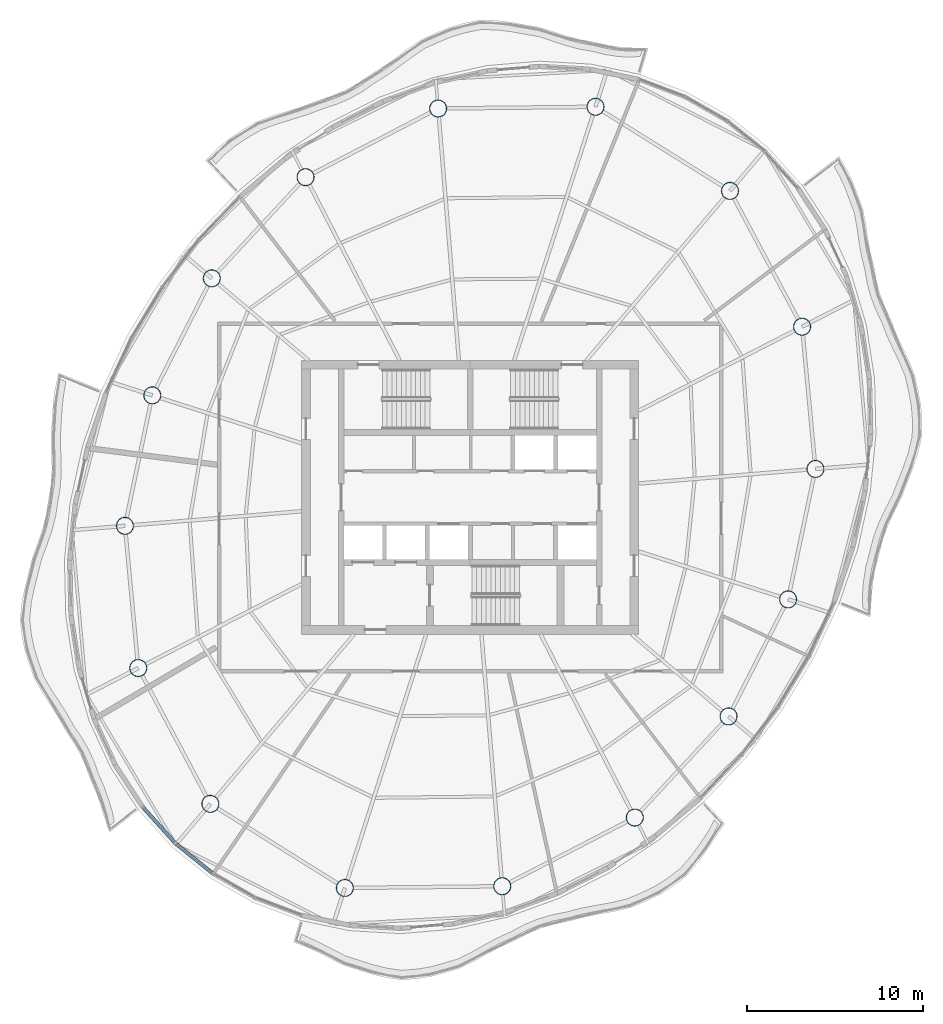
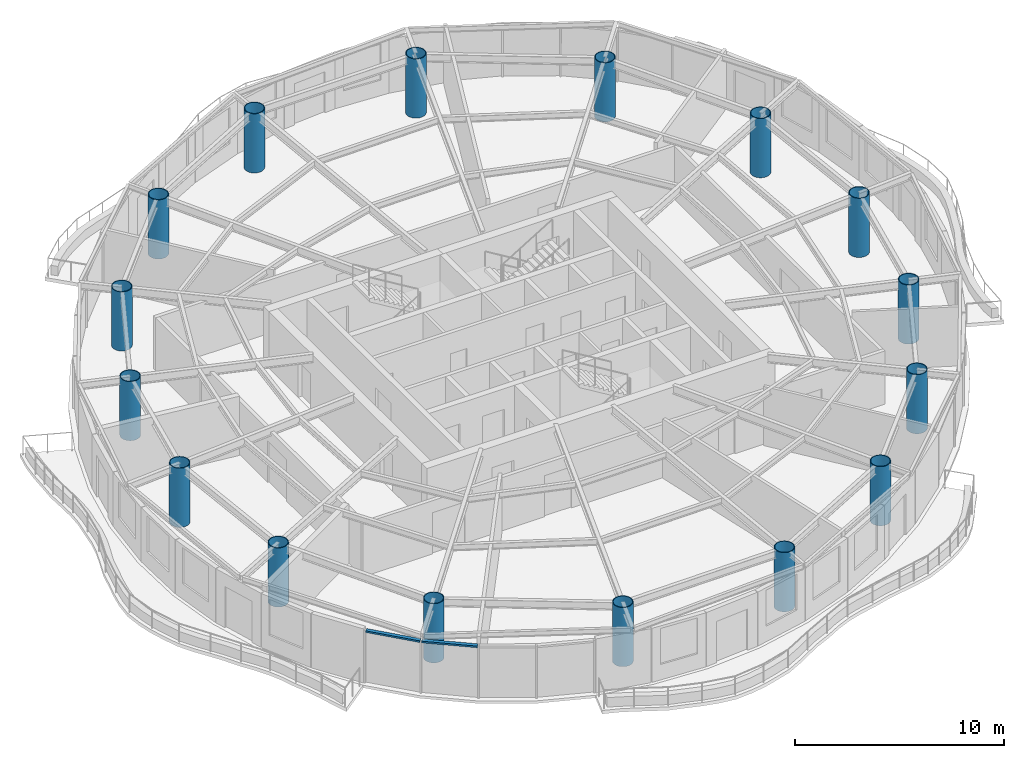
# One storey, part 1 of 14: 16 columns, 2 members, 2 elements without a shape of their own.
"""IFC4 building model written with IfcOpenShell, lengths in metres."""

from ifc_helpers import new_model, si_unit, direction, frame, origin, origin_2d, place, context, subcontext, project, spatial, rectangle, hollow_circle, extrude, material, material_profile, profile_set, type_object, element, aggregate, save


model = new_model("IFC4")

# Units and contexts
model_context = context("Model", 3, precision=1e-05, world=origin(), true_north=direction((0.0, 1.0)))
body_context = subcontext(model_context, "Body", "Model", "MODEL_VIEW")
ifc_project = project(units=[si_unit("LENGTHUNIT", "METRE"), si_unit("AREAUNIT", "SQUARE_METRE"), si_unit("VOLUMEUNIT", "CUBIC_METRE"), si_unit("PLANEANGLEUNIT", "RADIAN"), si_unit("MASSUNIT", "GRAM", prefix="KILO")], contexts=[model_context])

# Site, building, storey
site_placement = place(None, origin())
site = spatial("IfcSite", under=ifc_project, at=site_placement, CompositionType="ELEMENT")
building_placement = place(site_placement, origin())
building = spatial("IfcBuilding", under=site, at=building_placement, Name="Vermilion Reach Broadcast Tower", CompositionType="ELEMENT")
storey_placement = place(building_placement, frame((0.0, 0.0, 257.699951171875)))
storey = spatial("IfcBuildingStorey", under=building, at=storey_placement, Name="L63", CompositionType="ELEMENT", Elevation=257.699951171875)

# Columns
ifc_material_1 = material(Name="Concrete C60 infill in steel S460NL tube", Category="concrete")
ifc_material_profile_1 = material_profile(ifc_material_1, hollow_circle(Radius=0.5, WallThickness=0.0400390625, at=origin_2d()), Name="Concrete C60 infill in steel S460NL tube CFT 1000x40")
ifc_profile_set_1 = profile_set([ifc_material_profile_1], Name="Concrete C60 infill in steel S460NL tube")
column_type = type_object("IfcColumnType", Name="MC5 CFT 1000x40", PredefinedType="COLUMN", material=ifc_profile_set_1)
for number, where, z_axis, x_axis, name in (
    (1, (1.138427734375, 22.2470703125, 0.0), (0.0, 0.0, 1.0), (1.0, 0.0, 0.0), "Mega-column MC5-01"),
    (2, (-7.824951171875, 22.1494140625, 0.0), (0.0, 0.0, 1.0), (1.0, 0.0, 0.0), "Mega-column MC5-02"),
    (3, (-15.376953125, 18.23779296875, 0.0), (0.0, 0.0, 1.0), (1.0, 0.0, 0.0), "Mega-column MC5-03"),
    (4, (-20.717529296875, 12.476806640625, 0.0), (0.0, 0.0, 1.0), (1.0, 0.0, 0.0), "Mega-column MC5-04"),
    (5, (-24.10595703125, 5.809814453125, 0.0), (0.0, 0.0, 1.0), (1.0, 0.0, 0.0), "Mega-column MC5-05"),
    (6, (-25.665771484375, -1.620361328125, 0.0), (0.0, 0.0, 1.0), (1.0, 0.0, 0.0), "Mega-column MC5-06"),
    (7, (-24.905517578125, -9.72021484375, 0.0), (0.0, 0.0, 1.0), (1.0, 0.0, 0.0), "Mega-column MC5-07"),
    (8, (-20.799560546875, -17.457275390625, 0.0), (0.0, 0.0, 1.0), (1.0, 0.0, 0.0), "Mega-column MC5-08"),
    (9, (-13.138427734375, -22.2470703125, 0.0), (0.0, 0.0, 1.0), (1.0, 0.0, 0.0), "Mega-column MC5-09"),
    (10, (-4.175048828125, -22.1494140625, 0.0), (0.0, 0.0, 1.0), (1.0, 0.0, 0.0), "Mega-column MC5-10"),
    (11, (3.376953125, -18.23779296875, 0.0), (0.0, 0.0, 1.0), (1.0, 0.0, 0.0), "Mega-column MC5-11"),
    (12, (8.717529296875, -12.476806640625, 0.0), (0.0, 0.0, 1.0), (1.0, 0.0, 0.0), "Mega-column MC5-12"),
    (13, (12.10595703125, -5.809814453125, 0.0), (0.0, 0.0, 1.0), (1.0, 0.0, 0.0), "Mega-column MC5-13"),
    (14, (13.665771484375, 1.620361328125, 0.0), (0.0, 0.0, 1.0), (1.0, 0.0, 0.0), "Mega-column MC5-14"),
    (15, (12.905517578125, 9.72021484375, 0.0), (0.0, 0.0, 1.0), (1.0, 0.0, 0.0), "Mega-column MC5-15"),
    (16, (8.799560546875, 17.457275390625, 0.0), (0.0, 0.0, 1.0), (1.0, 0.0, 0.0), "Mega-column MC5-16"),
):
    element("IfcColumn", number, at=place(storey_placement, frame(where, z_axis=z_axis, x_axis=x_axis)), inside=storey, type_object=column_type, Name=name, PredefinedType="COLUMN", context=body_context, shape_type="SweptSolid", body=[
        extrude(hollow_circle(Radius=0.5, WallThickness=0.0400390625, at=origin_2d()), origin(), (0.0, 0.0, 1.0), 3.449951171875),
    ])

# Curtain wall, member
ifc_material_2 = material(Name="Low-e laminated clear glass in aluminium frame", Category="aluminium")
curtain_wall_type = type_object("IfcCurtainWallType", Name="Slot curtain wall", PredefinedType="NOTDEFINED", material=ifc_material_2)
placement = place(storey_placement, origin())
curtain_wall_1 = element("IfcCurtainWall", 17, at=placement, inside=storey, type_object=curtain_wall_type, Name="Slot curtain wall L63 22", PredefinedType="NOTDEFINED")
ifc_material_3 = material(Name="Anodised aluminium", Category="aluminium")
ifc_material_profile_2 = material_profile(ifc_material_3, rectangle(XDim=0.199951171875, YDim=0.10009765625, at=origin_2d()), Name="Slot transom 200 x 100")
ifc_profile_set_2 = profile_set([ifc_material_profile_2], Name="Anodised aluminium")
member_type = type_object("IfcMemberType", Name="Slot transom 200 x 100", PredefinedType="USERDEFINED", material=ifc_profile_set_2)
member_1_placement = place(storey_placement, frame((-24.635009765625, -17.654541015625, 3.0), z_axis=(0.669585864681, -0.742734656401, 0.0), x_axis=(0.742734656401, 0.669585864681, 0.0)))
member_1 = element("IfcMember", 18, at=member_1_placement, type_object=member_type, Name="Slot transom L63 22.1", ObjectType="TRANSOM", PredefinedType="USERDEFINED", context=body_context, shape_type="SweptSolid", body=[
    extrude(rectangle(XDim=0.199951171875, YDim=0.10009765625, at=origin_2d()), origin(), (0.0, 0.0, 1.0), 2.71337890625),
])
aggregate(curtain_wall_1, [member_1])

curtain_wall_2 = element("IfcCurtainWall", 19, at=placement, inside=storey, type_object=curtain_wall_type, Name="Slot curtain wall L63 23", PredefinedType="NOTDEFINED")
member_2_placement = place(storey_placement, frame((-22.760009765625, -19.724853515625, 3.0), z_axis=(0.778338633718, -0.62784470314, 0.0), x_axis=(0.62784470314, 0.778338633718, 0.0)))
member_2 = element("IfcMember", 20, at=member_2_placement, type_object=member_type, Name="Slot transom L63 23.1", ObjectType="TRANSOM", PredefinedType="USERDEFINED", context=body_context, shape_type="SweptSolid", body=[
    extrude(rectangle(XDim=0.199951171875, YDim=0.10009765625, at=origin_2d()), origin(), (0.0, 0.0, 1.0), 2.689697265625),
])
aggregate(curtain_wall_2, [member_2])

save(model, "model.ifc")
